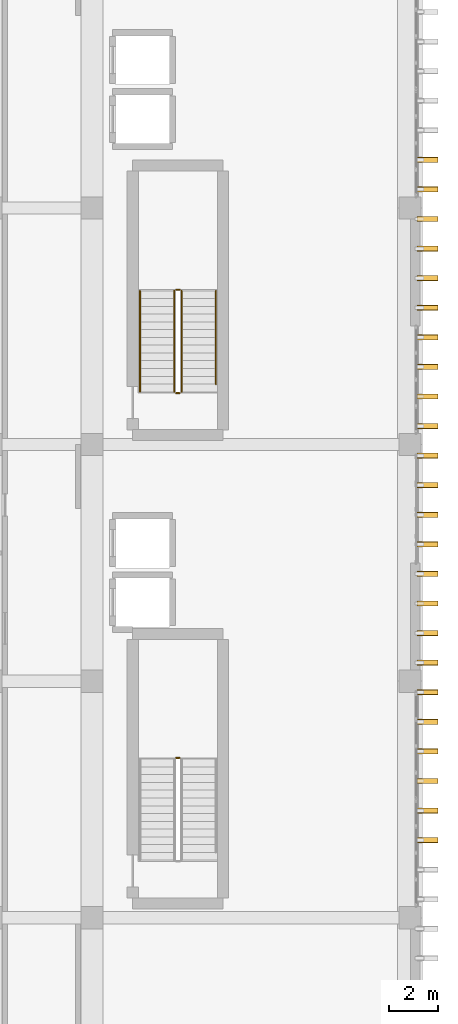
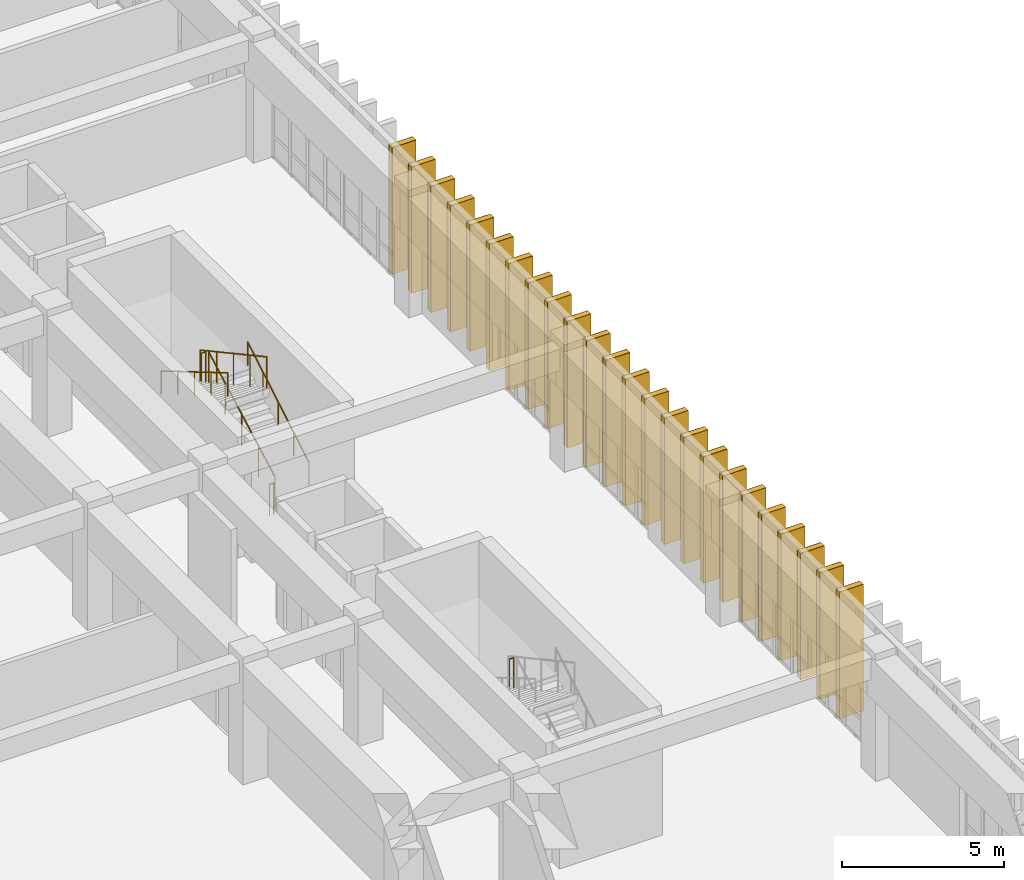
# One storey, part 96 of 101: 24 coverings, 24 shading devices, 7 railings.
"""IFC4 building model written with IfcOpenShell, lengths in metres."""

from ifc_helpers import new_model, si_unit, direction, frame, origin, origin_2d, place, context, subcontext, project, spatial, rectangle, circle, extrude, material, layer, layer_set, type_object, element, save


model = new_model("IFC4")

# Units and contexts
model_context = context("Model", 3, precision=1e-05, world=origin(), true_north=direction((0.0, 1.0)))
body_context = subcontext(model_context, "Body", "Model", "MODEL_VIEW")
ifc_project = project(units=[si_unit("LENGTHUNIT", "METRE"), si_unit("AREAUNIT", "SQUARE_METRE"), si_unit("VOLUMEUNIT", "CUBIC_METRE"), si_unit("PLANEANGLEUNIT", "RADIAN"), si_unit("MASSUNIT", "GRAM", prefix="KILO")], contexts=[model_context])

# Site, building, storey
site_placement = place(None, origin())
site = spatial("IfcSite", under=ifc_project, at=site_placement, CompositionType="ELEMENT")
building_placement = place(site_placement, origin())
building = spatial("IfcBuilding", under=site, at=building_placement, Name="Nakhvara Creek Congress Hotel", CompositionType="ELEMENT")
storey_placement = place(building_placement, frame((0.0, 0.0, 16.199951171875)))
storey = spatial("IfcBuildingStorey", under=building, at=storey_placement, Name="L03", CompositionType="ELEMENT", Elevation=16.199951171875)

# Coverings
ifc_material_1 = material(Name="Honed pale Omani limestone architectural cladding", Category="masonry")
ifc_layer = layer(ifc_material_1, 0.219970703125)
ifc_layer_set = layer_set([ifc_layer], Name="Honed pale Omani limestone architectural cladding")
covering_type = type_object("IfcCoveringType", Name="COV-FIN-850", PredefinedType="CLADDING", material=ifc_layer_set)
for number, where, z_axis, x_axis, name in (
    (1, (180.054931640625, 31.949951171875, 0.0), (0.0, 0.0, 1.0), (0.0, 1.0, 0.0), "Pale Limestone Fin Cladding CF01-1053"),
    (2, (180.054931640625, 33.14990234375, 0.0), (0.0, 0.0, 1.0), (0.0, 1.0, 0.0), "Pale Limestone Fin Cladding CF01-1054"),
    (3, (180.054931640625, 34.35009765625, 0.0), (0.0, 0.0, 1.0), (0.0, 1.0, 0.0), "Pale Limestone Fin Cladding CF01-1055"),
    (4, (180.054931640625, 35.550048828125, 0.0), (0.0, 0.0, 1.0), (0.0, 1.0, 0.0), "Pale Limestone Fin Cladding CF01-1056"),
    (5, (180.054931640625, 36.75, 0.0), (0.0, 0.0, 1.0), (0.0, 1.0, 0.0), "Pale Limestone Fin Cladding CF01-1057"),
    (6, (180.054931640625, 37.949951171875, 0.0), (0.0, 0.0, 1.0), (0.0, 1.0, 0.0), "Pale Limestone Fin Cladding CF01-1058"),
    (7, (180.054931640625, 39.14990234375, 0.0), (0.0, 0.0, 1.0), (0.0, 1.0, 0.0), "Pale Limestone Fin Cladding CF01-1059"),
    (8, (180.054931640625, 40.35009765625, 0.0), (0.0, 0.0, 1.0), (0.0, 1.0, 0.0), "Pale Limestone Fin Cladding CF01-1060"),
    (9, (180.054931640625, 41.550048828125, 0.0), (0.0, 0.0, 1.0), (0.0, 1.0, 0.0), "Pale Limestone Fin Cladding CF01-1061"),
    (10, (180.054931640625, 42.75, 0.0), (0.0, 0.0, 1.0), (0.0, 1.0, 0.0), "Pale Limestone Fin Cladding CF01-1062"),
    (11, (180.054931640625, 43.949951171875, 0.0), (0.0, 0.0, 1.0), (0.0, 1.0, 0.0), "Pale Limestone Fin Cladding CF01-1063"),
    (12, (180.054931640625, 45.14990234375, 0.0), (0.0, 0.0, 1.0), (0.0, 1.0, 0.0), "Pale Limestone Fin Cladding CF01-1064"),
    (13, (180.054931640625, 46.35009765625, 0.0), (0.0, 0.0, 1.0), (0.0, 1.0, 0.0), "Pale Limestone Fin Cladding CF01-1065"),
    (14, (180.054931640625, 47.550048828125, 0.0), (0.0, 0.0, 1.0), (0.0, 1.0, 0.0), "Pale Limestone Fin Cladding CF01-1066"),
    (15, (180.054931640625, 48.75, 0.0), (0.0, 0.0, 1.0), (0.0, 1.0, 0.0), "Pale Limestone Fin Cladding CF01-1067"),
    (16, (180.054931640625, 49.949951171875, 0.0), (0.0, 0.0, 1.0), (0.0, 1.0, 0.0), "Pale Limestone Fin Cladding CF01-1068"),
    (17, (180.054931640625, 51.14990234375, 0.0), (0.0, 0.0, 1.0), (0.0, 1.0, 0.0), "Pale Limestone Fin Cladding CF01-1069"),
    (18, (180.054931640625, 52.35009765625, 0.0), (0.0, 0.0, 1.0), (0.0, 1.0, 0.0), "Pale Limestone Fin Cladding CF01-1070"),
    (19, (180.054931640625, 53.550048828125, 0.0), (0.0, 0.0, 1.0), (0.0, 1.0, 0.0), "Pale Limestone Fin Cladding CF01-1071"),
    (20, (180.054931640625, 54.75, 0.0), (0.0, 0.0, 1.0), (0.0, 1.0, 0.0), "Pale Limestone Fin Cladding CF01-1072"),
    (21, (180.054931640625, 55.949951171875, 0.0), (0.0, 0.0, 1.0), (0.0, 1.0, 0.0), "Pale Limestone Fin Cladding CF01-1073"),
    (22, (180.054931640625, 57.14990234375, 0.0), (0.0, 0.0, 1.0), (0.0, 1.0, 0.0), "Pale Limestone Fin Cladding CF01-1074"),
    (23, (180.054931640625, 58.35009765625, 0.0), (0.0, 0.0, 1.0), (0.0, 1.0, 0.0), "Pale Limestone Fin Cladding CF01-1075"),
    (24, (180.054931640625, 59.550048828125, 0.0), (0.0, 0.0, 1.0), (0.0, 1.0, 0.0), "Pale Limestone Fin Cladding CF01-1076"),
):
    element("IfcCovering", number, at=place(storey_placement, frame(where, z_axis=z_axis, x_axis=x_axis)), inside=storey, type_object=covering_type, Name=name, PredefinedType="CLADDING", context=body_context, shape_type="SweptSolid", body=[
        extrude(rectangle(XDim=0.219970703125, YDim=0.85009765625, at=origin_2d()), origin(), (0.0, 0.0, 1.0), 4.760009765625),
    ])

# Railings
ifc_material_2 = material(Name="Brushed stainless steel 316L", Category="steel")
railing_type_1 = type_object("IfcRailingType", Name="RL-GUARD-1200", PredefinedType="GUARDRAIL", material=ifc_material_2)
railing_1_placement = place(storey_placement, frame((170.010009765625, 35.284912109375, 2.400146484375)))
element("IfcRailing", 25, at=railing_1_placement, inside=storey, type_object=railing_type_1, Name="L03 ST03 stair guard 2", PredefinedType="GUARDRAIL", context=body_context, shape_type="SweptSolid", body=[
    extrude(circle(Radius=0.02392578125, at=origin_2d()), frame((-0.0146484375, 0.0, 1.17578125), z_axis=(-1.0, 0.0, 0.0), x_axis=(0.0, -1.0, 0.0)), (0.0, 0.0, 1.0), 0.12060546875),
    extrude(circle(Radius=0.02099609375, at=origin_2d()), origin(), (0.0, 0.0, 1.0), 1.1806640625),
    extrude(circle(Radius=0.02099609375, at=origin_2d()), frame((-0.14990234375, 0.0, 0.0)), (0.0, 0.0, 1.0), 1.1806640625),
])
railing_2_placement = place(storey_placement, frame((170.0849609375, 50.139892578125, 0.17138671875)))
element("IfcRailing", 26, at=railing_2_placement, inside=storey, type_object=railing_type_1, Name="L03 ST04 stair guard 1", PredefinedType="GUARDRAIL", context=body_context, shape_type="SweptSolid", body=[
    extrude(circle(Radius=0.02392578125, at=origin_2d()), frame((0.0, 0.012939453125, 1.182861328125), z_axis=(0.0, 0.878345444265, 0.478026443347), x_axis=(-1.0, 0.0, 0.0)), (0.0, 0.0, 1.0), 4.633056640625),
    extrude(circle(Radius=0.02099609375, at=origin_2d()), origin(), (0.0, 0.0, 1.0), 1.1806640625),
    extrude(circle(Radius=0.02099609375, at=origin_2d()), frame((0.0, 1.02392578125, 0.55712890625)), (0.0, 0.0, 1.0), 1.1806640625),
    extrude(circle(Radius=0.02099609375, at=origin_2d()), frame((0.0, 2.047607421875, 1.1142578125)), (0.0, 0.0, 1.0), 1.1806640625),
    extrude(circle(Radius=0.02099609375, at=origin_2d()), frame((0.0, 3.0712890625, 1.671630859375)), (0.0, 0.0, 1.0), 1.1806640625),
    extrude(circle(Radius=0.02099609375, at=origin_2d()), frame((0.0, 4.09521484375, 2.228759765625)), (0.0, 0.0, 1.0), 1.1806640625),
])
railing_3_placement = place(storey_placement, frame((170.010009765625, 54.284912109375, 2.400146484375)))
element("IfcRailing", 27, at=railing_3_placement, inside=storey, type_object=railing_type_1, Name="L03 ST04 stair guard 2", PredefinedType="GUARDRAIL", context=body_context, shape_type="SweptSolid", body=[
    extrude(circle(Radius=0.02392578125, at=origin_2d()), frame((-0.0146484375, 0.0, 1.17578125), z_axis=(-1.0, 0.0, 0.0), x_axis=(0.0, -1.0, 0.0)), (0.0, 0.0, 1.0), 0.12060546875),
    extrude(circle(Radius=0.02099609375, at=origin_2d()), origin(), (0.0, 0.0, 1.0), 1.1806640625),
    extrude(circle(Radius=0.02099609375, at=origin_2d()), frame((-0.14990234375, 0.0, 0.0)), (0.0, 0.0, 1.0), 1.1806640625),
])
railing_4_placement = place(storey_placement, frame((169.784912109375, 54.235107421875, 2.571533203125)))
element("IfcRailing", 28, at=railing_4_placement, inside=storey, type_object=railing_type_1, Name="L03 ST04 stair guard 3", PredefinedType="GUARDRAIL", context=body_context, shape_type="SweptSolid", body=[
    extrude(circle(Radius=0.02392578125, at=origin_2d()), frame((0.0, -0.012939453125, 1.182861328125), z_axis=(0.0, -0.878367429875, 0.477986043871), x_axis=(1.0, 0.0, 0.0)), (0.0, 0.0, 1.0), 4.6328125),
    extrude(circle(Radius=0.02099609375, at=origin_2d()), origin(), (0.0, 0.0, 1.0), 1.1806640625),
    extrude(circle(Radius=0.02099609375, at=origin_2d()), frame((0.0, -1.02392578125, 0.55712890625)), (0.0, 0.0, 1.0), 1.1806640625),
    extrude(circle(Radius=0.02099609375, at=origin_2d()), frame((0.0, -2.047607421875, 1.1142578125)), (0.0, 0.0, 1.0), 1.1806640625),
    extrude(circle(Radius=0.02099609375, at=origin_2d()), frame((0.0, -3.0712890625, 1.67138671875)), (0.0, 0.0, 1.0), 1.1806640625),
    extrude(circle(Radius=0.02099609375, at=origin_2d()), frame((0.0, -4.09521484375, 2.228515625)), (0.0, 0.0, 1.0), 1.1806640625),
])
railing_5_placement = place(storey_placement, frame((170.010009765625, 50.090087890625, 0.0)))
element("IfcRailing", 29, at=railing_5_placement, inside=storey, type_object=railing_type_1, Name="L03 ST04 stair guard 4", PredefinedType="GUARDRAIL", context=body_context, shape_type="SweptSolid", body=[
    extrude(circle(Radius=0.02392578125, at=origin_2d()), frame((-0.0146484375, 0.0, 1.17578125), z_axis=(-1.0, 0.0, 0.0), x_axis=(0.0, -1.0, 0.0)), (0.0, 0.0, 1.0), 0.12060546875),
    extrude(circle(Radius=0.02099609375, at=origin_2d()), origin(), (0.0, 0.0, 1.0), 1.1806640625),
    extrude(circle(Radius=0.02099609375, at=origin_2d()), frame((-0.14990234375, 0.0, 0.0)), (0.0, 0.0, 1.0), 1.1806640625),
])
railing_type_2 = type_object("IfcRailingType", Name="RL-HAND-900", PredefinedType="HANDRAIL", material=ifc_material_2)
railing_6_placement = place(storey_placement, frame((171.47509765625, 50.455078125, 0.343017578125)))
element("IfcRailing", 30, at=railing_6_placement, inside=storey, type_object=railing_type_2, Name="L03 ST04 stair handrail 1", PredefinedType="HANDRAIL", context=body_context, shape_type="SweptSolid", body=[
    extrude(circle(Radius=0.02392578125, at=origin_2d()), frame((0.0, 0.0126953125, 0.88330078125), z_axis=(0.0, 0.860342978037, 0.509715567883), x_axis=(-1.0, 0.0, 0.0)), (0.0, 0.0, 1.0), 4.3642578125),
    extrude(circle(Radius=0.02099609375, at=origin_2d()), origin(), (0.0, 0.0, 1.0), 0.880615234375),
    extrude(circle(Radius=0.02099609375, at=origin_2d()), frame((0.0, 0.945068359375, 0.559814453125)), (0.0, 0.0, 1.0), 0.880615234375),
    extrude(circle(Radius=0.02099609375, at=origin_2d()), frame((0.0, 1.89013671875, 1.11962890625)), (0.0, 0.0, 1.0), 0.880615234375),
    extrude(circle(Radius=0.02099609375, at=origin_2d()), frame((0.0, 2.8349609375, 1.6796875)), (0.0, 0.0, 1.0), 0.880615234375),
    extrude(circle(Radius=0.02099609375, at=origin_2d()), frame((0.0, 3.780029296875, 2.239501953125)), (0.0, 0.0, 1.0), 0.880615234375),
])
railing_7_placement = place(storey_placement, frame((168.39501953125, 54.235107421875, 2.571533203125)))
element("IfcRailing", 31, at=railing_7_placement, inside=storey, type_object=railing_type_2, Name="L03 ST04 stair handrail 2", PredefinedType="HANDRAIL", context=body_context, shape_type="SweptSolid", body=[
    extrude(circle(Radius=0.02392578125, at=origin_2d()), frame((0.0, -0.0126953125, 0.88330078125), z_axis=(0.0, -0.861755869898, 0.507323191561), x_axis=(1.0, 0.0, 0.0)), (0.0, 0.0, 1.0), 4.722900390625),
    extrude(circle(Radius=0.02099609375, at=origin_2d()), origin(), (0.0, 0.0, 1.0), 0.880615234375),
    extrude(circle(Radius=0.02099609375, at=origin_2d()), frame((0.0, -1.02392578125, 0.602783203125)), (0.0, 0.0, 1.0), 0.880615234375),
    extrude(circle(Radius=0.02099609375, at=origin_2d()), frame((0.0, -2.047607421875, 1.20556640625)), (0.0, 0.0, 1.0), 0.880615234375),
    extrude(circle(Radius=0.02099609375, at=origin_2d()), frame((0.0, -3.0712890625, 1.80810546875)), (0.0, 0.0, 1.0), 0.880615234375),
    extrude(circle(Radius=0.02099609375, at=origin_2d()), frame((0.0, -4.09521484375, 2.410888671875)), (0.0, 0.0, 1.0), 0.880615234375),
])

# Shading devices
ifc_material_3 = material(Name="Honed pale Omani limestone cladding on stainless steel spine", Category="masonry")
shading_device_type = type_object("IfcShadingDeviceType", Name="SHD-FIN-850X4700", PredefinedType="USERDEFINED", material=ifc_material_3)
for number, where, z_axis, x_axis, name in (
    (32, (180.054931640625, 31.949951171875, 0.0), (0.0, 0.0, 1.0), (0.0, 1.0, 0.0), "Limestone Solar Fin FN02-0918"),
    (33, (180.054931640625, 33.14990234375, 0.0), (0.0, 0.0, 1.0), (0.0, 1.0, 0.0), "Limestone Solar Fin FN02-0919"),
    (34, (180.054931640625, 34.35009765625, 0.0), (0.0, 0.0, 1.0), (0.0, 1.0, 0.0), "Limestone Solar Fin FN02-0920"),
    (35, (180.054931640625, 35.550048828125, 0.0), (0.0, 0.0, 1.0), (0.0, 1.0, 0.0), "Limestone Solar Fin FN02-0921"),
    (36, (180.054931640625, 36.75, 0.0), (0.0, 0.0, 1.0), (0.0, 1.0, 0.0), "Limestone Solar Fin FN02-0922"),
    (37, (180.054931640625, 37.949951171875, 0.0), (0.0, 0.0, 1.0), (0.0, 1.0, 0.0), "Limestone Solar Fin FN02-0923"),
    (38, (180.054931640625, 39.14990234375, 0.0), (0.0, 0.0, 1.0), (0.0, 1.0, 0.0), "Limestone Solar Fin FN02-0924"),
    (39, (180.054931640625, 40.35009765625, 0.0), (0.0, 0.0, 1.0), (0.0, 1.0, 0.0), "Limestone Solar Fin FN02-0925"),
    (40, (180.054931640625, 41.550048828125, 0.0), (0.0, 0.0, 1.0), (0.0, 1.0, 0.0), "Limestone Solar Fin FN02-0926"),
    (41, (180.054931640625, 42.75, 0.0), (0.0, 0.0, 1.0), (0.0, 1.0, 0.0), "Limestone Solar Fin FN02-0927"),
    (42, (180.054931640625, 43.949951171875, 0.0), (0.0, 0.0, 1.0), (0.0, 1.0, 0.0), "Limestone Solar Fin FN02-0928"),
    (43, (180.054931640625, 45.14990234375, 0.0), (0.0, 0.0, 1.0), (0.0, 1.0, 0.0), "Limestone Solar Fin FN02-0929"),
    (44, (180.054931640625, 46.35009765625, 0.0), (0.0, 0.0, 1.0), (0.0, 1.0, 0.0), "Limestone Solar Fin FN02-0930"),
    (45, (180.054931640625, 47.550048828125, 0.0), (0.0, 0.0, 1.0), (0.0, 1.0, 0.0), "Limestone Solar Fin FN02-0931"),
    (46, (180.054931640625, 48.75, 0.0), (0.0, 0.0, 1.0), (0.0, 1.0, 0.0), "Limestone Solar Fin FN02-0932"),
    (47, (180.054931640625, 49.949951171875, 0.0), (0.0, 0.0, 1.0), (0.0, 1.0, 0.0), "Limestone Solar Fin FN02-0933"),
    (48, (180.054931640625, 51.14990234375, 0.0), (0.0, 0.0, 1.0), (0.0, 1.0, 0.0), "Limestone Solar Fin FN02-0934"),
    (49, (180.054931640625, 52.35009765625, 0.0), (0.0, 0.0, 1.0), (0.0, 1.0, 0.0), "Limestone Solar Fin FN02-0935"),
    (50, (180.054931640625, 53.550048828125, 0.0), (0.0, 0.0, 1.0), (0.0, 1.0, 0.0), "Limestone Solar Fin FN02-0936"),
    (51, (180.054931640625, 54.75, 0.0), (0.0, 0.0, 1.0), (0.0, 1.0, 0.0), "Limestone Solar Fin FN02-0937"),
    (52, (180.054931640625, 55.949951171875, 0.0), (0.0, 0.0, 1.0), (0.0, 1.0, 0.0), "Limestone Solar Fin FN02-0938"),
    (53, (180.054931640625, 57.14990234375, 0.0), (0.0, 0.0, 1.0), (0.0, 1.0, 0.0), "Limestone Solar Fin FN02-0939"),
    (54, (180.054931640625, 58.35009765625, 0.0), (0.0, 0.0, 1.0), (0.0, 1.0, 0.0), "Limestone Solar Fin FN02-0940"),
    (55, (180.054931640625, 59.550048828125, 0.0), (0.0, 0.0, 1.0), (0.0, 1.0, 0.0), "Limestone Solar Fin FN02-0941"),
):
    element("IfcShadingDevice", number, at=place(storey_placement, frame(where, z_axis=z_axis, x_axis=x_axis)), inside=storey, type_object=shading_device_type, Name=name, ObjectType="FIN", PredefinedType="USERDEFINED", context=body_context, shape_type="SweptSolid", body=[
        extrude(rectangle(XDim=0.199951171875, YDim=0.85009765625, at=origin_2d()), origin(), (0.0, 0.0, 1.0), 4.760009765625),
    ])

save(model, "model.ifc")
